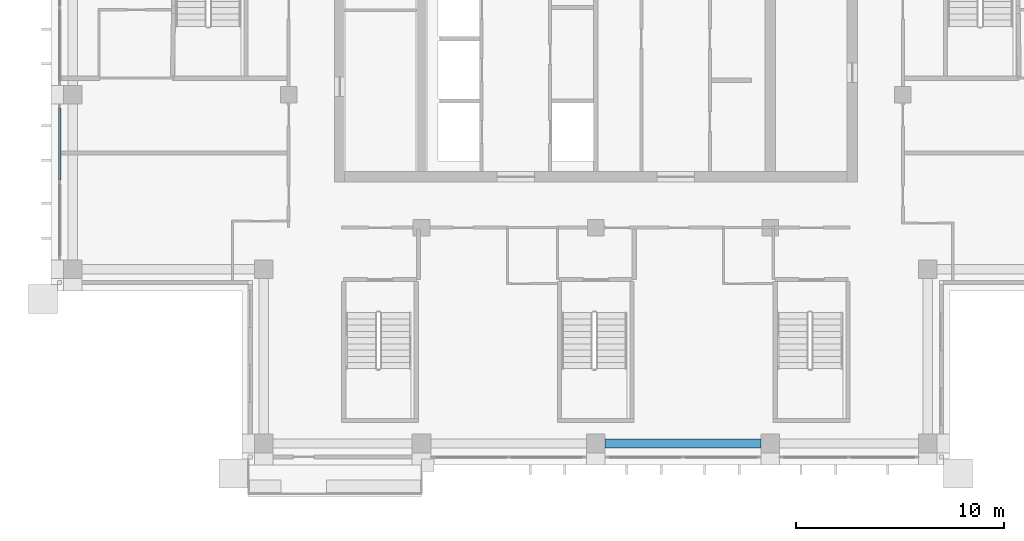
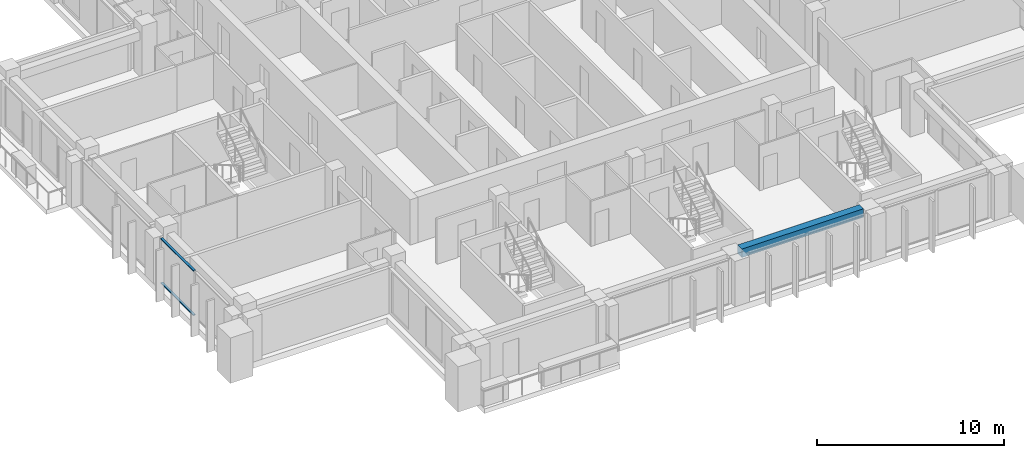
# One storey, part 3 of 18: 2 members, 1 beam, 1 element without a shape of its own.
"""IFC4 building model written with IfcOpenShell, lengths in metres."""

from ifc_helpers import new_model, si_unit, direction, frame, origin, origin_2d, place, context, subcontext, project, spatial, rectangle, extrude, material, material_profile, profile_set, type_object, element, aggregate, save


model = new_model("IFC4")

# Units and contexts
model_context = context("Model", 3, precision=1e-05, world=origin(), true_north=direction((0.0, 1.0)))
body_context = subcontext(model_context, "Body", "Model", "MODEL_VIEW")
ifc_project = project(units=[si_unit("LENGTHUNIT", "METRE"), si_unit("AREAUNIT", "SQUARE_METRE"), si_unit("VOLUMEUNIT", "CUBIC_METRE"), si_unit("PLANEANGLEUNIT", "RADIAN"), si_unit("MASSUNIT", "GRAM", prefix="KILO")], contexts=[model_context])

# Site, building, storey
site_placement = place(None, origin())
site = spatial("IfcSite", under=ifc_project, at=site_placement, CompositionType="ELEMENT")
building_placement = place(site_placement, origin())
building = spatial("IfcBuilding", under=site, at=building_placement, Name="Vermilion Ogive Tower", CompositionType="ELEMENT")
storey_placement = place(building_placement, frame((0.0, 0.0, 261.39990234375)))
storey = spatial("IfcBuildingStorey", under=building, at=storey_placement, Name="L69", CompositionType="ELEMENT", Elevation=261.39990234375)

# Curtain wall, members
ifc_material_1 = material(Name="Low-iron laminated glazing in aluminium frame", Category="aluminium")
curtain_wall_type = type_object("IfcCurtainWallType", Name="Curtain wall CW7", PredefinedType="NOTDEFINED", material=ifc_material_1)
curtain_wall_placement = place(storey_placement, origin())
curtain_wall = element("IfcCurtainWall", 1, at=curtain_wall_placement, inside=storey, type_object=curtain_wall_type, Name="Glazed skin W3", PredefinedType="NOTDEFINED")
ifc_material_2 = material(Name="Aluminium transom", Category="aluminium")
ifc_material_profile_1 = material_profile(ifc_material_2, rectangle(XDim=0.139892578125, YDim=0.06005859375, at=origin_2d()), Name="AL 60x140")
ifc_profile_set_1 = profile_set([ifc_material_profile_1], Name="Aluminium transom")
member_type = type_object("IfcMemberType", Name="CW7 transom 60x140", PredefinedType="USERDEFINED", material=ifc_profile_set_1)
member_1_placement = place(storey_placement, frame((-25.85009765625, -4.830078125, 0.030029296875), z_axis=(0.0, -1.0, 0.0), x_axis=(1.0, 0.0, 0.0)))
member_1 = element("IfcMember", 2, at=member_1_placement, type_object=member_type, Name="CW7-W3 transom 1.1", ObjectType="TRANSOM", PredefinedType="USERDEFINED", context=body_context, shape_type="SweptSolid", body=[
    extrude(rectangle(XDim=0.139892578125, YDim=0.06005859375, at=origin_2d()), origin(), (0.0, 0.0, 1.0), 3.47998046875),
])
member_2_placement = place(storey_placement, frame((-25.85009765625, -4.830078125, 2.920166015625), z_axis=(0.0, -1.0, 0.0), x_axis=(1.0, 0.0, 0.0)))
member_2 = element("IfcMember", 3, at=member_2_placement, type_object=member_type, Name="CW7-W3 transom 1.2", ObjectType="TRANSOM", PredefinedType="USERDEFINED", context=body_context, shape_type="SweptSolid", body=[
    extrude(rectangle(XDim=0.139892578125, YDim=0.06005859375, at=origin_2d()), origin(), (0.0, 0.0, 1.0), 3.47998046875),
])
aggregate(curtain_wall, [member_1, member_2])

# Beam
ifc_material_3 = material(Name="Concrete B45", Category="concrete")
ifc_material_profile_2 = material_profile(ifc_material_3, rectangle(XDim=0.449951171875, YDim=0.550048828125, at=origin_2d()), Name="450 x 550")
ifc_profile_set_2 = profile_set([ifc_material_profile_2], Name="Concrete B45")
beam_type = type_object("IfcBeamType", Name="Edge beam 450 x 550 B45", PredefinedType="BEAM", material=ifc_profile_set_2)
beam_placement = place(storey_placement, frame((0.449951171875, -21.0, 2.675048828125), z_axis=(1.0, 0.0, 0.0), x_axis=(0.0, 1.0, 0.0)))
element("IfcBeam", 4, at=beam_placement, inside=storey, type_object=beam_type, Name="L69-EB-3", PredefinedType="BEAM", context=body_context, shape_type="SweptSolid", body=[
    extrude(rectangle(XDim=0.449951171875, YDim=0.550048828125, at=origin_2d()), origin(), (0.0, 0.0, 1.0), 7.5),
])

save(model, "model.ifc")
